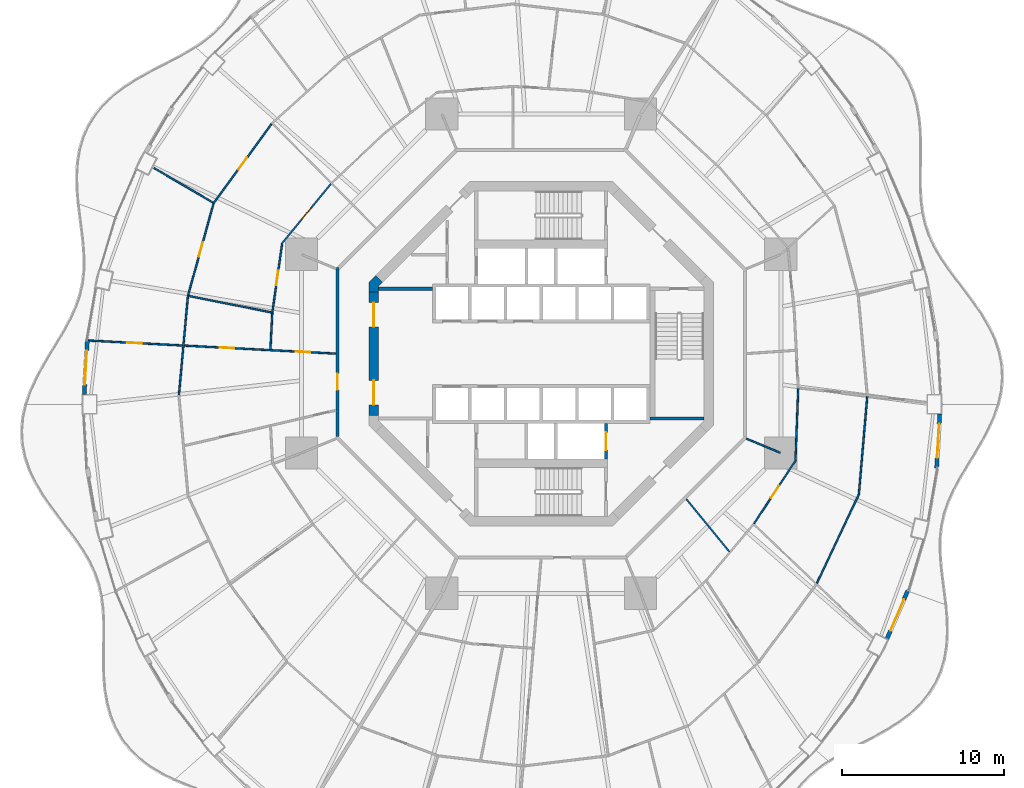
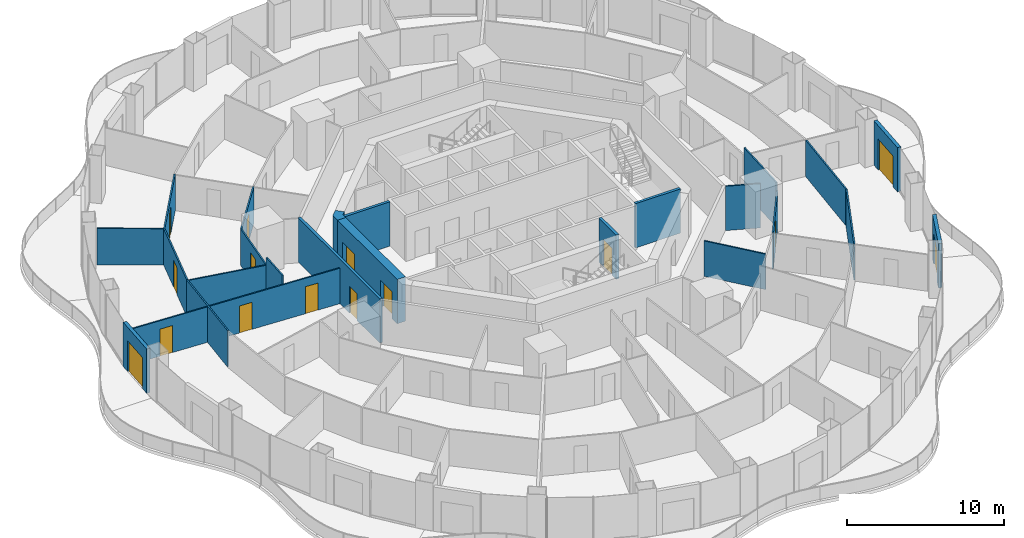
# One storey, part 14 of 20: 24 walls, 15 doors, 15 openings.
"""IFC4 building model written with IfcOpenShell, lengths in metres."""

from ifc_helpers import new_model, si_unit, direction, frame, frame_2d, origin, place, context, subcontext, project, spatial, polyline, rectangle, outline, extrude, material, layer, layer_set, type_object, element, fill, save


model = new_model("IFC4")

# Units and contexts
model_context = context("Model", 3, precision=1e-05, world=origin(), true_north=direction((0.0, 1.0)))
body_context = subcontext(model_context, "Body", "Model", "MODEL_VIEW")
ifc_project = project(units=[si_unit("LENGTHUNIT", "METRE"), si_unit("AREAUNIT", "SQUARE_METRE"), si_unit("VOLUMEUNIT", "CUBIC_METRE"), si_unit("PLANEANGLEUNIT", "RADIAN"), si_unit("MASSUNIT", "GRAM", prefix="KILO")], contexts=[model_context])

# Site, building, storey
site_placement = place(None, origin())
site = spatial("IfcSite", under=ifc_project, at=site_placement, CompositionType="ELEMENT")
building_placement = place(site_placement, origin())
building = spatial("IfcBuilding", under=site, at=building_placement, Name="Nagisa Residences", CompositionType="ELEMENT")
storey_placement = place(building_placement, frame((0.0, 0.0, 145.5)))
storey = spatial("IfcBuildingStorey", under=building, at=storey_placement, Name="L36", CompositionType="ELEMENT", Elevation=145.5)

# Wall, opening, door
ifc_material_1 = material(Name="Gypsum board on steel studs", Category="steel")
ifc_layer_1 = layer(ifc_material_1, 0.199951171875)
ifc_layer_set_1 = layer_set([ifc_layer_1], Name="Apartment entry wall EI60 200")
wall_type_1 = type_object("IfcWallType", Name="Apartment entry wall EI60 200", PredefinedType="PARTITIONING", material=ifc_layer_set_1)
wall_1_placement = place(storey_placement, frame((-12.564697265625, 5.304443359375, 0.0), z_axis=(0.0, 0.0, 1.0), x_axis=(0.0, -1.0, 0.0)))
wall_1 = element("IfcWall", 1, at=wall_1_placement, inside=storey, type_object=wall_type_1, Name="wall:L36:u08", PredefinedType="PARTITIONING", context=body_context, shape_type="SweptSolid", body=[
    extrude(rectangle(XDim=10.408935546875, YDim=0.199951171875, at=frame_2d((5.20458984375, 0.0))), origin(), (0.0, 0.0, 1.0), 3.43994140625),
])
opening_1_placement = place(wall_1_placement, frame((6.539306640625, 0.0, 0.0)))
opening_1 = element("IfcOpeningElement", 2, at=opening_1_placement, cuts=wall_1, Name="Opening L36-U25", PredefinedType="OPENING", context=body_context, shape_type="SweptSolid", body=[
    extrude(rectangle(XDim=1.0, YDim=2.10009765625, at=frame_2d((0.5, 1.050048828125))), frame((0.0, 0.10986328125, 0.0), z_axis=(0.0, -1.0, 0.0), x_axis=(1.0, 0.0, 0.0)), (0.0, 0.0, 1.0), 0.219970703125),
])
ifc_material_2 = material(Name="Timber fire door set", Category="wood")
door_type_1 = type_object("IfcDoorType", Name="Apartment entry door FD30S 1000x2100", OperationType="NOTDEFINED", PredefinedType="DOOR", material=ifc_material_2)
door_1_placement = place(opening_1_placement, frame((1.0, 0.0, 0.0), x_axis=(-1.0, 0.0, 0.0)))
door_1 = element("IfcDoor", 3, at=door_1_placement, inside=storey, type_object=door_type_1, Name="Entry door, Apartment 36B", OperationType="SINGLE_SWING_RIGHT", OverallHeight=2.10009765625, OverallWidth=1.0, PredefinedType="DOOR", context=body_context, shape_type="SweptSolid", body=[
    extrude(rectangle(XDim=1.0, YDim=2.10009765625, at=frame_2d((0.5, 1.050048828125))), frame((0.0, 0.02490234375, 0.0), z_axis=(0.0, -1.0, 0.0), x_axis=(1.0, 0.0, 0.0)), (0.0, 0.0, 1.0), 0.050048828125),
])
fill(opening_1, door_1)

# Walls
ifc_material_3 = material(Name="Gypsum board on steel studs", Category="steel")
ifc_layer_2 = layer(ifc_material_3, 0.10009765625)
ifc_layer_set_2 = layer_set([ifc_layer_2], Name="Apartment partition 100")
wall_type_2 = type_object("IfcWallType", Name="Apartment partition 100", PredefinedType="PARTITIONING", material=ifc_layer_set_2)
wall_2_placement = place(storey_placement, frame((15.848876953125, -2.158203125, 0.0), z_axis=(0.0, 0.0, 1.0), x_axis=(-0.038390448414, -0.999262815014, 0.0)))
element("IfcWall", 4, at=wall_2_placement, inside=storey, type_object=wall_type_2, Name="wall:L36:u14", PredefinedType="PARTITIONING", context=body_context, shape_type="SweptSolid", body=[
    extrude(rectangle(XDim=4.394287109375, YDim=0.10009765625, at=frame_2d((2.197265625, 0.0))), origin(), (0.0, 0.0, 1.0), 3.43994140625),
])
wall_3_placement = place(storey_placement, frame((20.10595703125, -2.64208984375, 0.0), z_axis=(0.0, 0.0, 1.0), x_axis=(-0.085672025822, -0.996323393277, 0.0)))
element("IfcWall", 5, at=wall_3_placement, inside=storey, type_object=wall_type_2, Name="wall:L36:u16", PredefinedType="PARTITIONING", context=body_context, shape_type="SweptSolid", body=[
    extrude(rectangle(XDim=6.007080078125, YDim=0.10009765625, at=frame_2d((3.00341796875, 0.0))), origin(), (0.0, 0.0, 1.0), 2.827880859375),
])

# Wall, opening, door
wall_4_placement = place(storey_placement, frame((-12.965087890625, 10.474609375, 0.0), z_axis=(0.0, 0.0, 1.0), x_axis=(-0.634932102074, -0.772567942485, 0.0)))
wall_4 = element("IfcWall", 6, at=wall_4_placement, inside=storey, type_object=wall_type_2, Name="wall:L36:u46", PredefinedType="PARTITIONING", context=body_context, shape_type="SweptSolid", body=[
    extrude(rectangle(XDim=4.7822265625, YDim=0.10009765625, at=frame_2d((2.39111328125, 0.0))), origin(), (0.0, 0.0, 1.0), 2.827880859375),
])
opening_2_placement = place(wall_4_placement, frame((1.916015625, 0.0, 0.0)))
opening_2 = element("IfcOpeningElement", 7, at=opening_2_placement, cuts=wall_4, Name="Opening L36-U37", PredefinedType="OPENING", context=body_context, shape_type="SweptSolid", body=[
    extrude(rectangle(XDim=0.89990234375, YDim=2.10009765625, at=frame_2d((0.449951171875, 1.050048828125))), frame((0.0, 0.06005859375, 0.0), z_axis=(0.0, -1.0, 0.0), x_axis=(1.0, 0.0, 0.0)), (0.0, 0.0, 1.0), 0.1201171875),
])
ifc_material_4 = material(Name="Timber door set", Category="wood")
door_type_2 = type_object("IfcDoorType", Name="Apartment door 900x2100", OperationType="NOTDEFINED", PredefinedType="DOOR", material=ifc_material_4)
door_2_placement = place(opening_2_placement, origin())
door_2 = element("IfcDoor", 8, at=door_2_placement, inside=storey, type_object=door_type_2, Name="Door to store, Apartment 36B", OperationType="SINGLE_SWING_LEFT", OverallHeight=2.10009765625, OverallWidth=0.89990234375, PredefinedType="DOOR", context=body_context, shape_type="SweptSolid", body=[
    extrude(rectangle(XDim=0.89990234375, YDim=2.10009765625, at=frame_2d((0.449951171875, 1.050048828125))), frame((0.0, 0.02490234375, 0.0), z_axis=(0.0, -1.0, 0.0), x_axis=(1.0, 0.0, 0.0)), (0.0, 0.0, 1.0), 0.050048828125),
])
fill(opening_2, door_2)

wall_5_placement = place(storey_placement, frame((-16.620849609375, 14.17431640625, 0.0), z_axis=(0.0, 0.0, 1.0), x_axis=(-0.590672767272, -0.806911198338, 0.0)))
wall_5 = element("IfcWall", 9, at=wall_5_placement, inside=storey, type_object=wall_type_2, Name="wall:L36:u47", PredefinedType="PARTITIONING", context=body_context, shape_type="SweptSolid", body=[
    extrude(rectangle(XDim=6.09912109375, YDim=0.10009765625, at=frame_2d((3.049560546875, 0.0))), origin(), (0.0, 0.0, 1.0), 2.827880859375),
])
opening_3_placement = place(wall_5_placement, frame((2.574462890625, 0.0, 0.0)))
opening_3 = element("IfcOpeningElement", 10, at=opening_3_placement, cuts=wall_5, Name="Opening L36-U32", PredefinedType="OPENING", context=body_context, shape_type="SweptSolid", body=[
    extrude(rectangle(XDim=0.89990234375, YDim=2.10009765625, at=frame_2d((0.449951171875, 1.050048828125))), frame((0.0, 0.06005859375, 0.0), z_axis=(0.0, -1.0, 0.0), x_axis=(1.0, 0.0, 0.0)), (0.0, 0.0, 1.0), 0.1201171875),
])
door_3_placement = place(opening_3_placement, frame((0.89990234375, 0.0, 0.0), x_axis=(-1.0, 0.0, 0.0)))
door_3 = element("IfcDoor", 11, at=door_3_placement, inside=storey, type_object=door_type_2, Name="Door to master bedroom, Apartment 36B", OperationType="SINGLE_SWING_LEFT", OverallHeight=2.10009765625, OverallWidth=0.89990234375, PredefinedType="DOOR", context=body_context, shape_type="SweptSolid", body=[
    extrude(rectangle(XDim=0.89990234375, YDim=2.10009765625, at=frame_2d((0.449951171875, 1.050048828125))), frame((0.0, 0.02490234375, 0.0), z_axis=(0.0, -1.0, 0.0), x_axis=(1.0, 0.0, 0.0)), (0.0, 0.0, 1.0), 0.050048828125),
])
fill(opening_3, door_3)

wall_6_placement = place(storey_placement, frame((-15.976806640625, 6.769287109375, 0.0), z_axis=(0.0, 0.0, 1.0), x_axis=(-0.140693592547, -0.990053186963, 0.0)))
wall_6 = element("IfcWall", 12, at=wall_6_placement, inside=storey, type_object=wall_type_2, Name="wall:L36:u49", PredefinedType="PARTITIONING", context=body_context, shape_type="SweptSolid", body=[
    extrude(rectangle(XDim=4.22705078125, YDim=0.10009765625, at=frame_2d((2.113525390625, 0.0))), origin(), (0.0, 0.0, 1.0), 2.827880859375),
])
opening_4_placement = place(wall_6_placement, frame((1.66357421875, 0.0, 0.0)))
opening_4 = element("IfcOpeningElement", 13, at=opening_4_placement, cuts=wall_6, Name="Opening L36-U28", PredefinedType="OPENING", context=body_context, shape_type="SweptSolid", body=[
    extrude(rectangle(XDim=0.89990234375, YDim=2.10009765625, at=frame_2d((0.449951171875, 1.050048828125))), frame((0.0, 0.06005859375, 0.0), z_axis=(0.0, -1.0, 0.0), x_axis=(1.0, 0.0, 0.0)), (0.0, 0.0, 1.0), 0.1201171875),
])
door_4_placement = place(opening_4_placement, frame((0.89990234375, 0.0, 0.0), x_axis=(-1.0, 0.0, 0.0)))
door_4 = element("IfcDoor", 14, at=door_4_placement, inside=storey, type_object=door_type_2, Name="Door to family room, Apartment 36B", OperationType="SINGLE_SWING_LEFT", OverallHeight=2.10009765625, OverallWidth=0.89990234375, PredefinedType="DOOR", context=body_context, shape_type="SweptSolid", body=[
    extrude(rectangle(XDim=0.89990234375, YDim=2.10009765625, at=frame_2d((0.449951171875, 1.050048828125))), frame((0.0, 0.02490234375, 0.0), z_axis=(0.0, -1.0, 0.0), x_axis=(1.0, 0.0, 0.0)), (0.0, 0.0, 1.0), 0.050048828125),
])
fill(opening_4, door_4)

# Wall
wall_7_placement = place(storey_placement, frame((-20.237060546875, 9.318603515625, 0.0), z_axis=(0.0, 0.0, 1.0), x_axis=(-0.862867843769, 0.505429603593, 0.0)))
element("IfcWall", 15, at=wall_7_placement, inside=storey, type_object=wall_type_2, Name="wall:L36:u50", PredefinedType="PARTITIONING", context=body_context, shape_type="SweptSolid", body=[
    extrude(rectangle(XDim=4.215087890625, YDim=0.10009765625, at=frame_2d((2.107421875, 0.0))), origin(), (0.0, 0.0, 1.0), 2.827880859375),
])

# Wall, opening, door
wall_8_placement = place(storey_placement, frame((-20.207275390625, 9.2451171875, 0.0), z_axis=(0.0, 0.0, 1.0), x_axis=(-0.267400122135, -0.963585582438, 0.0)))
wall_8 = element("IfcWall", 16, at=wall_8_placement, inside=storey, type_object=wall_type_2, Name="wall:L36:u51", PredefinedType="PARTITIONING", context=body_context, shape_type="SweptSolid", body=[
    extrude(rectangle(XDim=5.837890625, YDim=0.10009765625, at=frame_2d((2.9189453125, 0.0))), origin(), (0.0, 0.0, 1.0), 2.827880859375),
])
opening_5_placement = place(wall_8_placement, frame((2.468994140625, 0.0, 0.0)))
opening_5 = element("IfcOpeningElement", 17, at=opening_5_placement, cuts=wall_8, Name="Opening L36-U33", PredefinedType="OPENING", context=body_context, shape_type="SweptSolid", body=[
    extrude(rectangle(XDim=0.89990234375, YDim=2.10009765625, at=frame_2d((0.449951171875, 1.050048828125))), frame((0.0, 0.06005859375, 0.0), z_axis=(0.0, -1.0, 0.0), x_axis=(1.0, 0.0, 0.0)), (0.0, 0.0, 1.0), 0.1201171875),
])
door_5_placement = place(opening_5_placement, frame((0.89990234375, 0.0, 0.0), x_axis=(-1.0, 0.0, 0.0)))
door_5 = element("IfcDoor", 18, at=door_5_placement, inside=storey, type_object=door_type_2, Name="Door to dining room, Apartment 36B", OperationType="SINGLE_SWING_RIGHT", OverallHeight=2.10009765625, OverallWidth=0.89990234375, PredefinedType="DOOR", context=body_context, shape_type="SweptSolid", body=[
    extrude(rectangle(XDim=0.89990234375, YDim=2.10009765625, at=frame_2d((0.449951171875, 1.050048828125))), frame((0.0, 0.02490234375, 0.0), z_axis=(0.0, -1.0, 0.0), x_axis=(1.0, 0.0, 0.0)), (0.0, 0.0, 1.0), 0.050048828125),
])
fill(opening_5, door_5)

# Walls
wall_9_placement = place(storey_placement, frame((-16.529541015625, 2.52490234375, 0.0), z_axis=(0.0, 0.0, 1.0), x_axis=(-0.980716720387, 0.195434680531, 0.0)))
element("IfcWall", 19, at=wall_9_placement, inside=storey, type_object=wall_type_2, Name="wall:L36:u52", PredefinedType="PARTITIONING", context=body_context, shape_type="SweptSolid", body=[
    extrude(rectangle(XDim=5.305419921875, YDim=0.10009765625, at=frame_2d((2.65283203125, 0.0))), origin(), (0.0, 0.0, 1.0), 2.827880859375),
])
wall_10_placement = place(storey_placement, frame((-16.581298828125, 2.48486328125, 0.0), z_axis=(0.0, 0.0, 1.0), x_axis=(-0.052455156936, -0.998623280577, 0.0)))
element("IfcWall", 20, at=wall_10_placement, inside=storey, type_object=wall_type_2, Name="wall:L36:u53", PredefinedType="PARTITIONING", context=body_context, shape_type="SweptSolid", body=[
    extrude(rectangle(XDim=2.224853515625, YDim=0.10009765625, at=frame_2d((1.1123046875, 0.0))), origin(), (0.0, 0.0, 1.0), 3.43994140625),
])
wall_11_placement = place(storey_placement, frame((-21.777099609375, 3.621337890625, 0.0), z_axis=(0.0, 0.0, 1.0), x_axis=(-0.090606877484, -0.995886737412, 0.0)))
element("IfcWall", 21, at=wall_11_placement, inside=storey, type_object=wall_type_2, Name="wall:L36:u54", PredefinedType="PARTITIONING", context=body_context, shape_type="SweptSolid", body=[
    extrude(rectangle(XDim=6.189208984375, YDim=0.10009765625, at=frame_2d((3.0947265625, 0.0))), origin(), (0.0, 0.0, 1.0), 2.827880859375),
])

# Wall, openings, doors
wall_12_placement = place(storey_placement, frame((-12.66455078125, 0.00537109375, 0.0), z_axis=(0.0, 0.0, 1.0), x_axis=(-0.998599229025, 0.052911055468, 0.0)))
wall_12 = element("IfcWall", 22, at=wall_12_placement, inside=storey, type_object=wall_type_2, Name="wall:L36:u55", PredefinedType="PARTITIONING", context=body_context, shape_type="SweptSolid", body=[
    extrude(rectangle(XDim=15.42529296875, YDim=0.10009765625, at=frame_2d((7.712646484375, 0.0))), origin(), (0.0, 0.0, 1.0), 2.756103515625),
])
opening_6_placement = place(wall_12_placement, frame((1.57080078125, 0.0, 0.0)))
opening_6 = element("IfcOpeningElement", 23, at=opening_6_placement, cuts=wall_12, Name="Opening L36-U26", PredefinedType="OPENING", context=body_context, shape_type="SweptSolid", body=[
    extrude(rectangle(XDim=0.89990234375, YDim=2.10009765625, at=frame_2d((0.449951171875, 1.050048828125))), frame((0.0, 0.06005859375, 0.0), z_axis=(0.0, -1.0, 0.0), x_axis=(1.0, 0.0, 0.0)), (0.0, 0.0, 1.0), 0.1201171875),
])
opening_7_placement = place(wall_12_placement, frame((6.275634765625, 0.0, 0.0)))
opening_7 = element("IfcOpeningElement", 24, at=opening_7_placement, cuts=wall_12, Name="Opening L36-U29", PredefinedType="OPENING", context=body_context, shape_type="SweptSolid", body=[
    extrude(rectangle(XDim=0.89990234375, YDim=2.10009765625, at=frame_2d((0.449951171875, 1.050048828125))), frame((0.0, 0.06005859375, 0.0), z_axis=(0.0, -1.0, 0.0), x_axis=(1.0, 0.0, 0.0)), (0.0, 0.0, 1.0), 0.1201171875),
])
opening_8_placement = place(wall_12_placement, frame((11.96728515625, 0.0, 0.0)))
opening_8 = element("IfcOpeningElement", 25, at=opening_8_placement, cuts=wall_12, Name="Opening L36-U34", PredefinedType="OPENING", context=body_context, shape_type="SweptSolid", body=[
    extrude(rectangle(XDim=0.89990234375, YDim=2.10009765625, at=frame_2d((0.449951171875, 1.050048828125))), frame((0.0, 0.06005859375, 0.0), z_axis=(0.0, -1.0, 0.0), x_axis=(1.0, 0.0, 0.0)), (0.0, 0.0, 1.0), 0.1201171875),
])
door_6_placement = place(opening_6_placement, frame((0.89990234375, 0.0, 0.0), x_axis=(-1.0, 0.0, 0.0)))
door_6 = element("IfcDoor", 26, at=door_6_placement, inside=storey, type_object=door_type_2, Name="Door to laundry, Apartment 36B", OperationType="SINGLE_SWING_LEFT", OverallHeight=2.10009765625, OverallWidth=0.89990234375, PredefinedType="DOOR", context=body_context, shape_type="SweptSolid", body=[
    extrude(rectangle(XDim=0.89990234375, YDim=2.10009765625, at=frame_2d((0.449951171875, 1.050048828125))), frame((0.0, 0.02490234375, 0.0), z_axis=(0.0, -1.0, 0.0), x_axis=(1.0, 0.0, 0.0)), (0.0, 0.0, 1.0), 0.050048828125),
])
fill(opening_6, door_6)
door_7_placement = place(opening_7_placement, frame((0.89990234375, 0.0, 0.0), x_axis=(-1.0, 0.0, 0.0)))
door_7 = element("IfcDoor", 27, at=door_7_placement, inside=storey, type_object=door_type_2, Name="Door to family bathroom, Apartment 36B", OperationType="SINGLE_SWING_RIGHT", OverallHeight=2.10009765625, OverallWidth=0.89990234375, PredefinedType="DOOR", context=body_context, shape_type="SweptSolid", body=[
    extrude(rectangle(XDim=0.89990234375, YDim=2.10009765625, at=frame_2d((0.449951171875, 1.050048828125))), frame((0.0, 0.02490234375, 0.0), z_axis=(0.0, -1.0, 0.0), x_axis=(1.0, 0.0, 0.0)), (0.0, 0.0, 1.0), 0.050048828125),
])
fill(opening_7, door_7)
door_8_placement = place(opening_8_placement, origin())
door_8 = element("IfcDoor", 28, at=door_8_placement, inside=storey, type_object=door_type_2, Name="Door to family room, Apartment 36B", OperationType="SINGLE_SWING_RIGHT", OverallHeight=2.10009765625, OverallWidth=0.89990234375, PredefinedType="DOOR", context=body_context, shape_type="SweptSolid", body=[
    extrude(rectangle(XDim=0.89990234375, YDim=2.10009765625, at=frame_2d((0.449951171875, 1.050048828125))), frame((0.0, 0.02490234375, 0.0), z_axis=(0.0, -1.0, 0.0), x_axis=(1.0, 0.0, 0.0)), (0.0, 0.0, 1.0), 0.050048828125),
])
fill(opening_8, door_8)

# Wall
wall_13_placement = place(storey_placement, frame((8.947998046875, -8.962158203125, 0.0), z_axis=(0.0, 0.0, 1.0), x_axis=(0.633041272858, -0.774118044524, 0.0)))
element("IfcWall", 29, at=wall_13_placement, inside=storey, type_object=wall_type_2, Name="wall:L36:u91", PredefinedType="PARTITIONING", context=body_context, shape_type="SweptSolid", body=[
    extrude(rectangle(XDim=4.19482421875, YDim=0.10009765625, at=frame_2d((2.097412109375, 0.0))), origin(), (0.0, 0.0, 1.0), 2.756103515625),
])

# Wall, opening, door
wall_14_placement = place(storey_placement, frame((13.12744140625, -10.466552734375, 0.0), z_axis=(0.0, 0.0, 1.0), x_axis=(0.550614843759, 0.834759422727, 0.0)))
wall_14 = element("IfcWall", 30, at=wall_14_placement, inside=storey, type_object=wall_type_2, Name="wall:L36:u93", PredefinedType="PARTITIONING", context=body_context, shape_type="SweptSolid", body=[
    extrude(rectangle(XDim=4.6826171875, YDim=0.10009765625, at=frame_2d((2.34130859375, 0.0))), origin(), (0.0, 0.0, 1.0), 2.827880859375),
])
opening_9_placement = place(wall_14_placement, frame((1.866455078125, 0.0, 0.0)))
opening_9 = element("IfcOpeningElement", 31, at=opening_9_placement, cuts=wall_14, Name="Opening L36-U21", PredefinedType="OPENING", context=body_context, shape_type="SweptSolid", body=[
    extrude(rectangle(XDim=0.89990234375, YDim=2.10009765625, at=frame_2d((0.449951171875, 1.050048828125))), frame((0.0, 0.06005859375, 0.0), z_axis=(0.0, -1.0, 0.0), x_axis=(1.0, 0.0, 0.0)), (0.0, 0.0, 1.0), 0.1201171875),
])
door_9_placement = place(opening_9_placement, origin())
door_9 = element("IfcDoor", 32, at=door_9_placement, inside=storey, type_object=door_type_2, Name="Door to laundry, Apartment 36A", OperationType="SINGLE_SWING_LEFT", OverallHeight=2.10009765625, OverallWidth=0.89990234375, PredefinedType="DOOR", context=body_context, shape_type="SweptSolid", body=[
    extrude(rectangle(XDim=0.89990234375, YDim=2.10009765625, at=frame_2d((0.449951171875, 1.050048828125))), frame((0.0, 0.02490234375, 0.0), z_axis=(0.0, -1.0, 0.0), x_axis=(1.0, 0.0, 0.0)), (0.0, 0.0, 1.0), 0.050048828125),
])
fill(opening_9, door_9)

# Walls
wall_15_placement = place(storey_placement, frame((16.995361328125, -14.158203125, 0.0), z_axis=(0.0, 0.0, 1.0), x_axis=(0.427456178439, 0.904036069808, 0.0)))
element("IfcWall", 33, at=wall_15_placement, inside=storey, type_object=wall_type_2, Name="wall:L36:u94", PredefinedType="PARTITIONING", context=body_context, shape_type="SweptSolid", body=[
    extrude(rectangle(XDim=6.113037109375, YDim=0.10009765625, at=frame_2d((3.056640625, 0.0))), origin(), (0.0, 0.0, 1.0), 2.827880859375),
])
wall_16_placement = place(storey_placement, frame((12.6572265625, -5.24267578125, 0.0), z_axis=(0.0, 0.0, 1.0), x_axis=(0.923864733477, -0.382719158442, 0.0)))
element("IfcWall", 34, at=wall_16_placement, inside=storey, type_object=wall_type_2, Name="wall:L36:u95", PredefinedType="PARTITIONING", context=body_context, shape_type="SweptSolid", body=[
    extrude(rectangle(XDim=2.25, YDim=0.10009765625, at=frame_2d((1.125, 0.0))), origin(), (0.0, 0.0, 1.0), 3.43994140625),
])

# Wall, opening, door
ifc_material_5 = material(Name="Precast concrete C40/50", Category="concrete")
ifc_layer_3 = layer(ifc_material_5, 0.25)
ifc_layer_set_3 = layer_set([ifc_layer_3], Name="BALCONY DOOR WALL 250")
wall_type_3 = type_object("IfcWallType", Name="BALCONY DOOR WALL 250", PredefinedType="SOLIDWALL", material=ifc_layer_set_3)
wall_17_placement = place(storey_placement, frame((-28.17578125, -2.52587890625, 0.0), z_axis=(0.0, 0.0, 1.0), x_axis=(0.057537829427, 0.998343326809, 0.0)))
wall_17 = element("IfcWall", 35, at=wall_17_placement, inside=storey, type_object=wall_type_3, Name="wall:L36:bay23", PredefinedType="SOLIDWALL", context=body_context, shape_type="SweptSolid", body=[
    extrude(rectangle(XDim=3.347900390625, YDim=0.25, at=frame_2d((1.673828125, 0.0))), origin(), (0.0, 0.0, 1.0), 3.43994140625),
])
opening_10_placement = place(wall_17_placement, frame((0.623779296875, 0.0, 0.0)))
opening_10 = element("IfcOpeningElement", 36, at=opening_10_placement, cuts=wall_17, Name="Opening BD-L36-08", PredefinedType="OPENING", context=body_context, shape_type="SweptSolid", body=[
    extrude(rectangle(XDim=2.10009765625, YDim=2.39990234375, at=frame_2d((1.050048828125, 1.199951171875))), frame((0.0, 0.135009765625, 0.0), z_axis=(0.0, -1.0, 0.0), x_axis=(1.0, 0.0, 0.0)), (0.0, 0.0, 1.0), 0.27001953125),
])
ifc_material_6 = material(Name="Aluminium and clear glass", Category="aluminium")
door_type_3 = type_object("IfcDoorType", Name="BALCONY SLIDING DOOR 2100x2400", OperationType="SLIDING_TO_LEFT", PredefinedType="DOOR", material=ifc_material_6)
door_10_placement = place(opening_10_placement, origin())
door_10 = element("IfcDoor", 37, at=door_10_placement, inside=storey, type_object=door_type_3, Name="door:L36:bay23", OperationType="SLIDING_TO_LEFT", OverallHeight=2.39990234375, OverallWidth=2.10009765625, PredefinedType="DOOR", context=body_context, shape_type="SweptSolid", body=[
    extrude(rectangle(XDim=2.10009765625, YDim=2.39990234375, at=frame_2d((1.050048828125, 1.199951171875))), frame((0.0, 0.02490234375, 0.0), z_axis=(0.0, -1.0, 0.0), x_axis=(1.0, 0.0, 0.0)), (0.0, 0.0, 1.0), 0.050048828125),
])
fill(opening_10, door_10)

wall_18_placement = place(storey_placement, frame((22.600341796875, -14.623046875, 0.0), z_axis=(0.0, 0.0, 1.0), x_axis=(-0.397575919276, -0.917569282622, 0.0)))
wall_18 = element("IfcWall", 38, at=wall_18_placement, inside=storey, type_object=wall_type_3, Name="wall:L36:bay44", PredefinedType="SOLIDWALL", context=body_context, shape_type="SweptSolid", body=[
    extrude(rectangle(XDim=3.2607421875, YDim=0.25, at=frame_2d((1.63037109375, 0.0))), origin(), (0.0, 0.0, 1.0), 3.43994140625),
])
opening_11_placement = place(wall_18_placement, frame((0.580322265625, 0.0, 0.0)))
opening_11 = element("IfcOpeningElement", 39, at=opening_11_placement, cuts=wall_18, Name="Opening BD-L36-15", PredefinedType="OPENING", context=body_context, shape_type="SweptSolid", body=[
    extrude(rectangle(XDim=2.10009765625, YDim=2.39990234375, at=frame_2d((1.050048828125, 1.199951171875))), frame((0.0, 0.135009765625, 0.0), z_axis=(0.0, -1.0, 0.0), x_axis=(1.0, 0.0, 0.0)), (0.0, 0.0, 1.0), 0.27001953125),
])
door_11_placement = place(opening_11_placement, origin())
door_11 = element("IfcDoor", 40, at=door_11_placement, inside=storey, type_object=door_type_3, Name="door:L36:bay44", OperationType="SLIDING_TO_LEFT", OverallHeight=2.39990234375, OverallWidth=2.10009765625, PredefinedType="DOOR", context=body_context, shape_type="SweptSolid", body=[
    extrude(rectangle(XDim=2.10009765625, YDim=2.39990234375, at=frame_2d((1.050048828125, 1.199951171875))), frame((0.0, 0.02490234375, 0.0), z_axis=(0.0, -1.0, 0.0), x_axis=(1.0, 0.0, 0.0)), (0.0, 0.0, 1.0), 0.050048828125),
])
fill(opening_11, door_11)

wall_19_placement = place(storey_placement, frame((24.57568359375, -3.70947265625, 0.0), z_axis=(0.0, 0.0, 1.0), x_axis=(-0.05746514539, -0.998347513176, 0.0)))
wall_19 = element("IfcWall", 41, at=wall_19_placement, inside=storey, type_object=wall_type_3, Name="wall:L36:bay47", PredefinedType="SOLIDWALL", context=body_context, shape_type="SweptSolid", body=[
    extrude(rectangle(XDim=3.347900390625, YDim=0.25, at=frame_2d((1.673828125, 0.0))), origin(), (0.0, 0.0, 1.0), 3.43994140625),
])
opening_12_placement = place(wall_19_placement, frame((0.623779296875, 0.0, 0.0)))
opening_12 = element("IfcOpeningElement", 42, at=opening_12_placement, cuts=wall_19, Name="Opening BD-L36-16", PredefinedType="OPENING", context=body_context, shape_type="SweptSolid", body=[
    extrude(rectangle(XDim=2.10009765625, YDim=2.39990234375, at=frame_2d((1.050048828125, 1.199951171875))), frame((0.0, 0.135009765625, 0.0), z_axis=(0.0, -1.0, 0.0), x_axis=(1.0, 0.0, 0.0)), (0.0, 0.0, 1.0), 0.27001953125),
])
door_12_placement = place(opening_12_placement, origin())
door_12 = element("IfcDoor", 43, at=door_12_placement, inside=storey, type_object=door_type_3, Name="door:L36:bay47", OperationType="SLIDING_TO_LEFT", OverallHeight=2.39990234375, OverallWidth=2.10009765625, PredefinedType="DOOR", context=body_context, shape_type="SweptSolid", body=[
    extrude(rectangle(XDim=2.10009765625, YDim=2.39990234375, at=frame_2d((1.050048828125, 1.199951171875))), frame((0.0, 0.02490234375, 0.0), z_axis=(0.0, -1.0, 0.0), x_axis=(1.0, 0.0, 0.0)), (0.0, 0.0, 1.0), 0.050048828125),
])
fill(opening_12, door_12)

# Wall
ifc_material_7 = material(Name="Gypsum board on steel studs", Category="steel")
ifc_layer_4 = layer(ifc_material_7, 0.199951171875)
ifc_layer_set_4 = layer_set([ifc_layer_4], Name="Core partition 200")
wall_type_4 = type_object("IfcWallType", Name="Core partition 200", PredefinedType="PARTITIONING", material=ifc_layer_set_4)
wall_20_placement = place(storey_placement, frame((-10.024658203125, 4.0, 0.0), z_axis=(0.0, 0.0, 1.0), x_axis=(1.0, 0.0, 0.0)))
element("IfcWall", 44, at=wall_20_placement, inside=storey, type_object=wall_type_4, Name="wall:L36:PNW", PredefinedType="PARTITIONING", context=body_context, shape_type="SweptSolid", body=[
    extrude(rectangle(XDim=3.32470703125, YDim=0.199951171875, at=frame_2d((1.662353515625, 0.0))), origin(), (0.0, 0.0, 1.0), 3.43994140625),
])

# Wall, openings, doors
ifc_material_8 = material(Name="Concrete C60", Category="concrete")
ifc_layer_5 = layer(ifc_material_8, 0.60009765625)
ifc_layer_set_5 = layer_set([ifc_layer_5], Name="Core shear wall 600")
wall_type_5 = type_object("IfcWallType", Name="Core shear wall 600", PredefinedType="SHEAR", material=ifc_layer_set_5)
wall_21_placement = place(storey_placement, frame((-10.32470703125, 3.80078125, 0.0), z_axis=(0.0, 0.0, 1.0), x_axis=(0.0, -1.0, 0.0)))
wall_21 = element("IfcWall", 45, at=wall_21_placement, inside=storey, type_object=wall_type_5, Name="wall:L36:core:flat4", PredefinedType="SHEAR", context=body_context, shape_type="SweptSolid", body=[
    extrude(rectangle(XDim=7.6015625, YDim=0.60009765625, at=frame_2d((3.80078125, 0.0))), origin(), (0.0, 0.0, 1.0), 3.43994140625),
])
opening_13_placement = place(wall_21_placement, frame((0.65087890625, 0.0, 0.0)))
opening_13 = element("IfcOpeningElement", 46, at=opening_13_placement, cuts=wall_21, Name="Opening L36-C18", PredefinedType="OPENING", context=body_context, shape_type="SweptSolid", body=[
    extrude(rectangle(XDim=1.5, YDim=2.10009765625, at=frame_2d((0.75, 1.050048828125))), frame((0.0, 0.31005859375, 0.0), z_axis=(0.0, -1.0, 0.0), x_axis=(1.0, 0.0, 0.0)), (0.0, 0.0, 1.0), 0.6201171875),
])
opening_14_placement = place(wall_21_placement, frame((5.450927734375, 0.0, 0.0)))
opening_14 = element("IfcOpeningElement", 47, at=opening_14_placement, cuts=wall_21, Name="Opening L36-C19", PredefinedType="OPENING", context=body_context, shape_type="SweptSolid", body=[
    extrude(rectangle(XDim=1.5, YDim=2.10009765625, at=frame_2d((0.75, 1.050048828125))), frame((0.0, 0.31005859375, 0.0), z_axis=(0.0, -1.0, 0.0), x_axis=(1.0, 0.0, 0.0)), (0.0, 0.0, 1.0), 0.6201171875),
])
ifc_material_9 = material(Name="Steel fire door", Category="steel")
door_type_4 = type_object("IfcDoorType", Name="Fire door EI60 1500x2100 double door single swing", OperationType="DOUBLE_DOOR_SINGLE_SWING", PredefinedType="DOOR", material=ifc_material_9)
door_13_placement = place(opening_13_placement, origin())
door_13 = element("IfcDoor", 48, at=door_13_placement, inside=storey, type_object=door_type_4, Name="Lift lobby door L36 1", OperationType="DOUBLE_DOOR_SINGLE_SWING", OverallHeight=2.10009765625, OverallWidth=1.5, PredefinedType="DOOR", context=body_context, shape_type="SweptSolid", body=[
    extrude(rectangle(XDim=1.5, YDim=2.10009765625, at=frame_2d((0.75, 1.050048828125))), frame((0.0, 0.02490234375, 0.0), z_axis=(0.0, -1.0, 0.0), x_axis=(1.0, 0.0, 0.0)), (0.0, 0.0, 1.0), 0.050048828125),
])
fill(opening_13, door_13)
door_14_placement = place(opening_14_placement, origin())
door_14 = element("IfcDoor", 49, at=door_14_placement, inside=storey, type_object=door_type_4, Name="Lift lobby door L36 2", OperationType="DOUBLE_DOOR_SINGLE_SWING", OverallHeight=2.10009765625, OverallWidth=1.5, PredefinedType="DOOR", context=body_context, shape_type="SweptSolid", body=[
    extrude(rectangle(XDim=1.5, YDim=2.10009765625, at=frame_2d((0.75, 1.050048828125))), frame((0.0, 0.02490234375, 0.0), z_axis=(0.0, -1.0, 0.0), x_axis=(1.0, 0.0, 0.0)), (0.0, 0.0, 1.0), 0.050048828125),
])
fill(opening_14, door_14)

# Wall
wall_22_placement = place(storey_placement, origin())
element("IfcWall", 50, at=wall_22_placement, inside=storey, type_object=wall_type_5, Name="wall:L36:core:pier3", PredefinedType="SHEAR", context=body_context, shape_type="SweptSolid", body=[
    extrude(outline(polyline([(-10.200439453125, 4.8251953125), (-9.776123046875, 4.40087890625), (-10.024658203125, 4.15234375), (-10.024658203125, 3.80078125), (-10.62451171875, 3.80078125), (-10.62451171875, 4.40087890625), (-10.200439453125, 4.8251953125)])), origin(), (0.0, 0.0, 1.0), 3.43994140625),
])

# Wall, opening, door
ifc_material_10 = material(Name="Concrete C60", Category="concrete")
ifc_layer_6 = layer(ifc_material_10, 0.199951171875)
ifc_layer_set_6 = layer_set([ifc_layer_6], Name="Lift shaft wall 200")
wall_type_6 = type_object("IfcWallType", Name="Lift shaft wall 200", PredefinedType="SOLIDWALL", material=ifc_layer_set_6)
wall_23_placement = place(storey_placement, frame((4.0, -6.5, 0.0), z_axis=(0.0, 0.0, 1.0), x_axis=(0.0, 1.0, 0.0)))
wall_23 = element("IfcWall", 51, at=wall_23_placement, inside=storey, type_object=wall_type_6, Name="wall:L36:Sb3", PredefinedType="SOLIDWALL", context=body_context, shape_type="SweptSolid", body=[
    extrude(rectangle(XDim=2.199951171875, YDim=0.199951171875, at=frame_2d((1.10009765625, 0.0))), origin(), (0.0, 0.0, 1.0), 3.43994140625),
])
opening_15_placement = place(wall_23_placement, frame((0.550048828125, 0.0, 0.0)))
opening_15 = element("IfcOpeningElement", 52, at=opening_15_placement, cuts=wall_23, Name="Opening L36-C07", PredefinedType="OPENING", context=body_context, shape_type="SweptSolid", body=[
    extrude(rectangle(XDim=1.10009765625, YDim=2.10009765625, at=frame_2d((0.550048828125, 1.050048828125))), frame((0.0, 0.10986328125, 0.0), z_axis=(0.0, -1.0, 0.0), x_axis=(1.0, 0.0, 0.0)), (0.0, 0.0, 1.0), 0.219970703125),
])
ifc_material_11 = material(Name="Stainless steel", Category="steel")
door_type_5 = type_object("IfcDoorType", Name="Lift landing door 1100x2100", OperationType="DOUBLE_DOOR_SLIDING", PredefinedType="DOOR", material=ifc_material_11)
door_15_placement = place(opening_15_placement, origin())
door_15 = element("IfcDoor", 53, at=door_15_placement, inside=storey, type_object=door_type_5, Name="Landing door FL2 L36", OperationType="DOUBLE_DOOR_SLIDING", OverallHeight=2.10009765625, OverallWidth=1.10009765625, PredefinedType="DOOR", context=body_context, shape_type="SweptSolid", body=[
    extrude(rectangle(XDim=1.10009765625, YDim=2.10009765625, at=frame_2d((0.550048828125, 1.050048828125))), frame((0.0, 0.02490234375, 0.0), z_axis=(0.0, -1.0, 0.0), x_axis=(1.0, 0.0, 0.0)), (0.0, 0.0, 1.0), 0.050048828125),
])
fill(opening_15, door_15)

# Wall
ifc_material_12 = material(Name="Concrete C60", Category="concrete")
ifc_layer_7 = layer(ifc_material_12, 0.199951171875)
ifc_layer_set_7 = layer_set([ifc_layer_7], Name="Stair enclosure wall 200")
wall_type_7 = type_object("IfcWallType", Name="Stair enclosure wall 200", PredefinedType="SOLIDWALL", material=ifc_layer_set_7)
wall_24_placement = place(storey_placement, origin())
element("IfcWall", 54, at=wall_24_placement, inside=storey, type_object=wall_type_7, Name="wall:L36:SE_s", PredefinedType="SOLIDWALL", context=body_context, shape_type="SweptSolid", body=[
    extrude(outline(polyline([(10.024658203125, -4.10009765625), (6.699951171875, -4.10009765625), (6.699951171875, -3.89990234375), (10.024658203125, -3.89990234375), (10.024658203125, -4.10009765625)])), origin(), (0.0, 0.0, 1.0), 3.43994140625),
])

save(model, "model.ifc")
